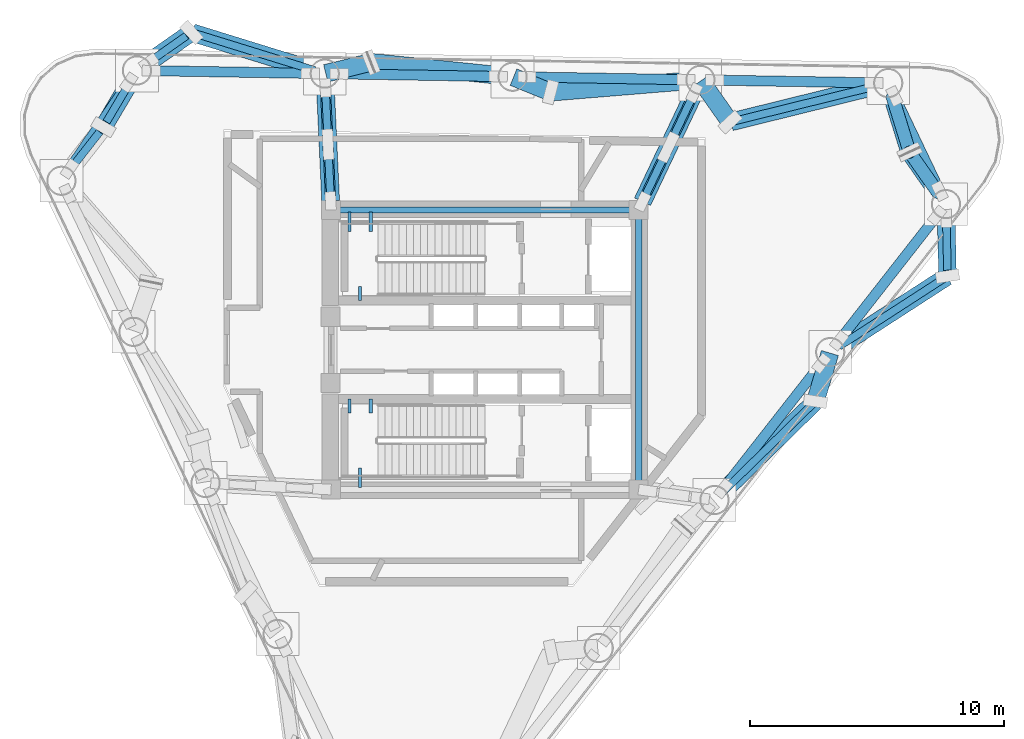
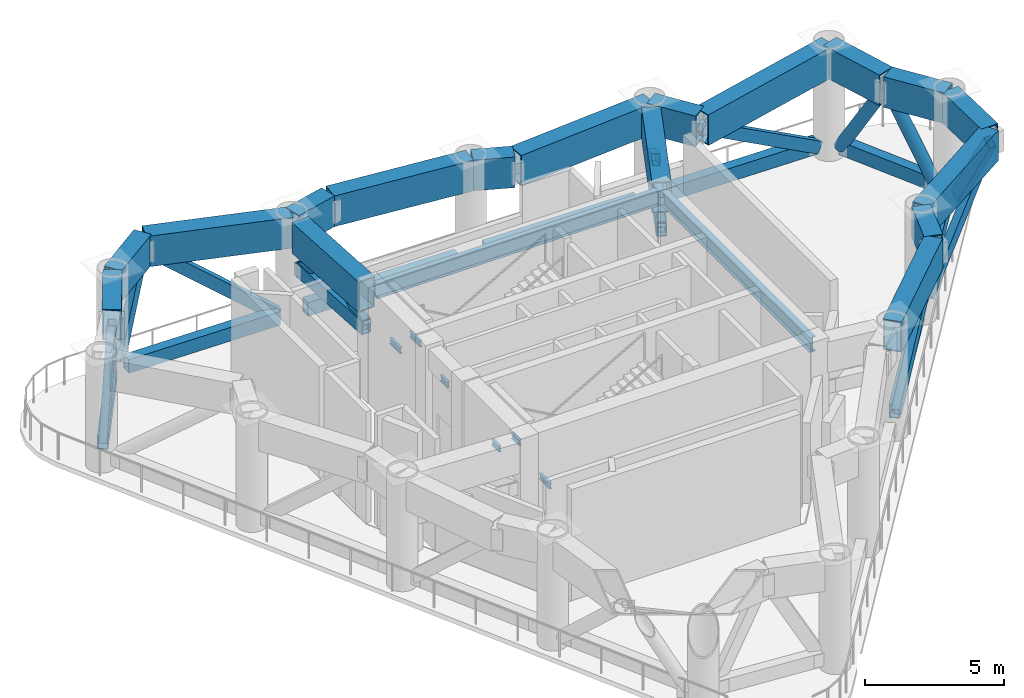
# One storey, part 2 of 8: 25 beams, 24 members.
"""IFC4 building model written with IfcOpenShell, lengths in metres."""

from ifc_helpers import new_model, si_unit, direction, frame, origin, origin_2d, place, context, subcontext, project, spatial, hollow_rectangle, hollow_circle, i_section, extrude, source, transform, mapped, material, material_profile, profile_set, type_object, element, save


model = new_model("IFC4")

# Units and contexts
model_context = context("Model", 3, precision=1e-05, world=origin(), true_north=direction((0.0, 1.0)))
body_context = subcontext(model_context, "Body", "Model", "MODEL_VIEW")
ifc_project = project(units=[si_unit("LENGTHUNIT", "METRE"), si_unit("AREAUNIT", "SQUARE_METRE"), si_unit("VOLUMEUNIT", "CUBIC_METRE"), si_unit("PLANEANGLEUNIT", "RADIAN"), si_unit("MASSUNIT", "GRAM", prefix="KILO")], contexts=[model_context])

# Site, building, storey
site_placement = place(None, origin())
site = spatial("IfcSite", under=ifc_project, at=site_placement, CompositionType="ELEMENT")
building_placement = place(site_placement, origin())
building = spatial("IfcBuilding", under=site, at=building_placement, Name="Yunling Apex Tower", CompositionType="ELEMENT")
storey_placement = place(building_placement, frame((0.0, 0.0, 219.050048828125)))
storey = spatial("IfcBuildingStorey", under=building, at=storey_placement, Name="RF6", CompositionType="ELEMENT", Elevation=219.050048828125)

# Beams
ifc_material_1 = material(Name="Steel Q355B", Category="steel")
ifc_material_profile_1 = material_profile(ifc_material_1, i_section(OverallWidth=0.125, OverallDepth=0.25, WebThickness=0.006103515625, FlangeThickness=0.009033203125, FilletRadius=0.011962890625, at=origin_2d()))
ifc_profile_set_1 = profile_set([ifc_material_profile_1], Name="Steel Q355B")
beam_type_1 = type_object("IfcBeamType", Name="BL-LNT-1", PredefinedType="LINTEL", material=ifc_profile_set_1)
shared_shape_1 = source(origin(), body_context, "Body", "SweptSolid", [
    extrude(i_section(OverallWidth=0.125, OverallDepth=0.25, WebThickness=0.006103515625, FlangeThickness=0.009033203125, FilletRadius=0.011962890625, at=origin_2d()), origin(), (0.0, 0.0, 1.0), 0.760009765625),
])
for number, where, z_axis, x_axis, name in (
    (1, (-5.320068359375, 5.419921875, 2.22998046875), (0.0, -1.0, 0.0), (1.0, 0.0, 0.0), "RF6 ST-1 Landing Bearing Corbel 1-1"),
    (2, (-4.489990234375, 5.419921875, 2.22998046875), (0.0, -1.0, 0.0), (1.0, 0.0, 0.0), "RF6 ST-1 Landing Bearing Corbel 1-2"),
    (3, (-4.905029296875, -5.419921875, 2.22998046875), (0.0, 1.0, 0.0), (-1.0, 0.0, 0.0), "RF6 ST-2 Landing Bearing Corbel 1-3"),
):
    element("IfcBeam", number, at=place(storey_placement, frame(where, z_axis=z_axis, x_axis=x_axis)), inside=storey, type_object=beam_type_1, Name=name, PredefinedType="LINTEL", context=body_context, shape_type="MappedRepresentation", body=[
        mapped(shared_shape_1, transform((0.0, 0.0, 0.0), scale=1.0)),
    ])
shared_shape_2 = source(origin(), body_context, "Body", "SweptSolid", [
    extrude(i_section(OverallWidth=0.125, OverallDepth=0.25, WebThickness=0.006103515625, FlangeThickness=0.009033203125, FilletRadius=0.011962890625, at=origin_2d()), origin(), (0.0, 0.0, 1.0), 0.550048828125),
])
for number, where, z_axis, x_axis, name in (
    (4, (-4.905029296875, 1.93994140625, 2.22998046875), (0.0, 1.0, 0.0), (-1.0, 0.0, 0.0), "RF6 ST-1 Landing Bearing Corbel 1-3"),
    (5, (-5.320068359375, -1.93994140625, 2.22998046875), (0.0, -1.0, 0.0), (1.0, 0.0, 0.0), "RF6 ST-2 Landing Bearing Corbel 1-1"),
    (6, (-4.489990234375, -1.93994140625, 2.22998046875), (0.0, -1.0, 0.0), (1.0, 0.0, 0.0), "RF6 ST-2 Landing Bearing Corbel 1-2"),
):
    element("IfcBeam", number, at=place(storey_placement, frame(where, z_axis=z_axis, x_axis=x_axis)), inside=storey, type_object=beam_type_1, Name=name, PredefinedType="LINTEL", context=body_context, shape_type="MappedRepresentation", body=[
        mapped(shared_shape_2, transform((0.0, 0.0, 0.0), scale=1.0)),
    ])
ifc_material_profile_2 = material_profile(ifc_material_1, i_section(OverallWidth=0.25, OverallDepth=0.64990234375, WebThickness=0.011962890625, FlangeThickness=0.02001953125, FilletRadius=0.02392578125, at=origin_2d()))
ifc_profile_set_2 = profile_set([ifc_material_profile_2], Name="Steel Q355B")
beam_type_2 = type_object("IfcBeamType", Name="BG-PRI-4", PredefinedType="USERDEFINED", material=ifc_profile_set_2)
shared_shape_3 = source(origin(), body_context, "Body", "SweptSolid", [
    extrude(i_section(OverallWidth=0.25, OverallDepth=0.64990234375, WebThickness=0.011962890625, FlangeThickness=0.02001953125, FilletRadius=0.02392578125, at=origin_2d()), origin(), (0.0, 0.0, 1.0), 11.7998046875),
])
beam_1_placement = place(storey_placement, frame((5.89990234375, 5.5, 4.594970703125), z_axis=(-1.0, 0.0, 0.0), x_axis=(0.0, -1.0, 0.0)))
element("IfcBeam", 7, at=beam_1_placement, inside=storey, type_object=beam_type_2, Name="RF6 Core Ring Tie Beam 3", ObjectType="GIRDER", PredefinedType="USERDEFINED", context=body_context, shape_type="MappedRepresentation", body=[
    mapped(shared_shape_3, transform((0.0, 0.0, 0.0), scale=1.0)),
])
shared_shape_4 = source(origin(), body_context, "Body", "SweptSolid", [
    extrude(i_section(OverallWidth=0.25, OverallDepth=0.64990234375, WebThickness=0.011962890625, FlangeThickness=0.02001953125, FilletRadius=0.02392578125, at=origin_2d()), origin(), (0.0, 0.0, 1.0), 10.7001953125),
])
beam_2_placement = place(storey_placement, frame((6.050048828125, -5.35009765625, 4.594970703125), z_axis=(0.0, 1.0, 0.0), x_axis=(-1.0, 0.0, 0.0)))
element("IfcBeam", 8, at=beam_2_placement, inside=storey, type_object=beam_type_2, Name="RF6 Core Ring Tie Beam 2", ObjectType="GIRDER", PredefinedType="USERDEFINED", context=body_context, shape_type="MappedRepresentation", body=[
    mapped(shared_shape_4, transform((0.0, 0.0, 0.0), scale=1.0)),
])

# Members
ifc_material_profile_3 = material_profile(ifc_material_1, hollow_rectangle(XDim=0.39990234375, YDim=0.60009765625, WallThickness=0.030029296875, at=origin_2d()))
ifc_profile_set_3 = profile_set([ifc_material_profile_3], Name="Steel Q355B")
member_type_1 = type_object("IfcMemberType", Name="BT-CHD-2", PredefinedType="CHORD", material=ifc_profile_set_3)
shared_shape_5 = source(origin(), body_context, "Body", "SweptSolid", [
    extrude(hollow_rectangle(XDim=0.39990234375, YDim=0.60009765625, WallThickness=0.030029296875, at=origin_2d()), origin(), (0.0, 0.0, 1.0), 6.257080078125),
])
for number, where, z_axis, x_axis, name in (
    (9, (15.304931640625, 10.50341796875, 0.550048828125), (-0.999859237341, 0.016778125739, 0.0), (-0.016778125739, -0.999859237341, 0.0), "RF6 Belt-Truss Bottom Chord 6"),
    (10, (7.9150390625, 10.627197265625, 0.550048828125), (-0.999859237341, 0.016778125739, 0.0), (-0.016778125739, -0.999859237341, 0.0), "RF6 Belt-Truss Bottom Chord 7"),
    (11, (0.525146484375, 10.751220703125, 0.550048828125), (-0.999859891153, 0.016739117787, 0.0), (-0.016739117787, -0.999859891153, 0.0), "RF6 Belt-Truss Bottom Chord 8"),
    (12, (-6.86474609375, 10.875, 0.550048828125), (-0.999859237341, 0.016778125739, 0.0), (-0.016778125739, -0.999859237341, 0.0), "RF6 Belt-Truss Bottom Chord 9"),
):
    element("IfcMember", number, at=place(storey_placement, frame(where, z_axis=z_axis, x_axis=x_axis)), inside=storey, type_object=member_type_1, Name=name, PredefinedType="CHORD", context=body_context, shape_type="MappedRepresentation", body=[
        mapped(shared_shape_5, transform((0.0, 0.0, 0.0), scale=1.0)),
    ])
shared_shape_6 = source(origin(), body_context, "Body", "SweptSolid", [
    extrude(hollow_rectangle(XDim=0.39990234375, YDim=0.60009765625, WallThickness=0.030029296875, at=origin_2d()), origin(), (0.0, 0.0, 1.0), 6.2568359375),
])
for number, where, z_axis, x_axis, name in (
    (13, (9.384521484375, -5.464599609375, 0.550048828125), (0.616207252325, 0.787584041345, 0.0), (-0.787584041345, 0.616207252325, 0.0), "RF6 Belt-Truss Bottom Chord 3"),
    (14, (13.93896484375, 0.356201171875, 0.550048828125), (0.616207252325, 0.787584041345, 0.0), (-0.787584041345, 0.616207252325, 0.0), "RF6 Belt-Truss Bottom Chord 4"),
):
    element("IfcMember", number, at=place(storey_placement, frame(where, z_axis=z_axis, x_axis=x_axis)), inside=storey, type_object=member_type_1, Name=name, PredefinedType="CHORD", context=body_context, shape_type="MappedRepresentation", body=[
        mapped(shared_shape_6, transform((0.0, 0.0, 0.0), scale=1.0)),
    ])
shared_shape_7 = source(origin(), body_context, "Body", "SweptSolid", [
    extrude(hollow_rectangle(XDim=0.39990234375, YDim=0.60009765625, WallThickness=0.030029296875, at=origin_2d()), origin(), (0.0, 0.0, 1.0), 4.143310546875),
])
member_1_placement = place(storey_placement, frame((17.899658203125, 6.242431640625, 0.550048828125), z_axis=(-0.43049615782, 0.90259240973, 0.0), x_axis=(-0.90259240973, -0.43049615782, 0.0)))
element("IfcMember", 15, at=member_1_placement, inside=storey, type_object=member_type_1, Name="RF6 Belt-Truss Bottom Chord 5", PredefinedType="CHORD", context=body_context, shape_type="MappedRepresentation", body=[
    mapped(shared_shape_7, transform((0.0, 0.0, 0.0), scale=1.0)),
])
shared_shape_8 = source(origin(), body_context, "Body", "SweptSolid", [
    extrude(hollow_rectangle(XDim=0.39990234375, YDim=0.60009765625, WallThickness=0.030029296875, at=origin_2d()), origin(), (0.0, 0.0, 1.0), 4.12548828125),
])
member_2_placement = place(storey_placement, frame((-14.0078125, 10.521484375, 0.550048828125), z_axis=(-0.564792105466, -0.825233226187, 0.0), x_axis=(0.825233226187, -0.564792105466, 0.0)))
element("IfcMember", 16, at=member_2_placement, inside=storey, type_object=member_type_1, Name="RF6 Belt-Truss Bottom Chord 10", PredefinedType="CHORD", context=body_context, shape_type="MappedRepresentation", body=[
    mapped(shared_shape_8, transform((0.0, 0.0, 0.0), scale=1.0)),
])

# Beams
ifc_material_2 = material(Name="Steel Q390GJC", Category="steel")
ifc_material_profile_4 = material_profile(ifc_material_2, hollow_rectangle(XDim=0.699951171875, YDim=1.35009765625, WallThickness=0.044921875, at=origin_2d()))
ifc_profile_set_4 = profile_set([ifc_material_profile_4], Name="Steel Q390GJC")
beam_type_3 = type_object("IfcBeamType", Name="BTRNG-2", PredefinedType="USERDEFINED", material=ifc_profile_set_4)
shared_shape_9 = source(origin(), body_context, "Body", "SweptSolid", [
    extrude(hollow_rectangle(XDim=0.699951171875, YDim=1.35009765625, WallThickness=0.044921875, at=origin_2d()), origin(), (0.0, 0.0, 1.0), 5.473388671875),
])
beam_3_placement = place(storey_placement, frame((9.063720703125, -5.88330078125, 4.244873046875), z_axis=(0.715244462006, 0.698874351775, 0.0), x_axis=(-0.698874351775, 0.715244462006, 0.0)))
element("IfcBeam", 17, at=beam_3_placement, inside=storey, type_object=beam_type_3, Name="RF6 Panel-Split Box Ring Transfer Girder 12", ObjectType="GIRDER", PredefinedType="USERDEFINED", context=body_context, shape_type="MappedRepresentation", body=[
    mapped(shared_shape_9, transform((0.0, 0.0, 0.0), scale=1.0)),
])
shared_shape_10 = source(origin(), body_context, "Body", "SweptSolid", [
    extrude(hollow_rectangle(XDim=0.699951171875, YDim=1.35009765625, WallThickness=0.044921875, at=origin_2d()), origin(), (0.0, 0.0, 1.0), 1.945068359375),
])
beam_4_placement = place(storey_placement, frame((13.0185546875, -1.99169921875, 4.244873046875), z_axis=(0.287543629256, 0.957767540311, 0.0), x_axis=(-0.957767540311, 0.287543629256, 0.0)))
element("IfcBeam", 18, at=beam_4_placement, inside=storey, type_object=beam_type_3, Name="RF6 Panel-Split Box Ring Transfer Girder 13", ObjectType="GIRDER", PredefinedType="USERDEFINED", context=body_context, shape_type="MappedRepresentation", body=[
    mapped(shared_shape_10, transform((0.0, 0.0, 0.0), scale=1.0)),
])
shared_shape_11 = source(origin(), body_context, "Body", "SweptSolid", [
    extrude(hollow_rectangle(XDim=0.699951171875, YDim=1.35009765625, WallThickness=0.044921875, at=origin_2d()), origin(), (0.0, 0.0, 1.0), 5.41748046875),
])
beam_5_placement = place(storey_placement, frame((13.623046875, -0.068603515625, 4.244873046875), z_axis=(0.839597964188, 0.543208301236, 0.0), x_axis=(-0.543208301236, 0.839597964188, 0.0)))
element("IfcBeam", 19, at=beam_5_placement, inside=storey, type_object=beam_type_3, Name="RF6 Panel-Split Box Ring Transfer Girder 14", ObjectType="GIRDER", PredefinedType="USERDEFINED", context=body_context, shape_type="MappedRepresentation", body=[
    mapped(shared_shape_11, transform((0.0, 0.0, 0.0), scale=1.0)),
])
shared_shape_12 = source(origin(), body_context, "Body", "SweptSolid", [
    extrude(hollow_rectangle(XDim=0.699951171875, YDim=1.35009765625, WallThickness=0.044921875, at=origin_2d()), origin(), (0.0, 0.0, 1.0), 2.755615234375),
])
beam_6_placement = place(storey_placement, frame((18.204345703125, 2.935791015625, 4.244873046875), z_axis=(-0.021618484186, 0.999766293261, 0.0), x_axis=(-0.999766293261, -0.021618484186, 0.0)))
element("IfcBeam", 20, at=beam_6_placement, inside=storey, type_object=beam_type_3, Name="RF6 Panel-Split Box Ring Transfer Girder 15", ObjectType="GIRDER", PredefinedType="USERDEFINED", context=body_context, shape_type="MappedRepresentation", body=[
    mapped(shared_shape_12, transform((0.0, 0.0, 0.0), scale=1.0)),
])
shared_shape_13 = source(origin(), body_context, "Body", "SweptSolid", [
    extrude(hollow_rectangle(XDim=0.699951171875, YDim=1.35009765625, WallThickness=0.044921875, at=origin_2d()), origin(), (0.0, 0.0, 1.0), 2.41943359375),
])
beam_7_placement = place(storey_placement, frame((18.120849609375, 5.763427734375, 4.244873046875), z_axis=(-0.572778108192, 0.819710460331, 0.0), x_axis=(-0.819710460331, -0.572778108192, 0.0)))
element("IfcBeam", 21, at=beam_7_placement, inside=storey, type_object=beam_type_3, Name="RF6 Panel-Split Box Ring Transfer Girder 16", ObjectType="GIRDER", PredefinedType="USERDEFINED", context=body_context, shape_type="MappedRepresentation", body=[
    mapped(shared_shape_13, transform((0.0, 0.0, 0.0), scale=1.0)),
])
shared_shape_14 = source(origin(), body_context, "Body", "SweptSolid", [
    extrude(hollow_rectangle(XDim=0.699951171875, YDim=1.35009765625, WallThickness=0.044921875, at=origin_2d()), origin(), (0.0, 0.0, 1.0), 2.76171875),
])
beam_8_placement = place(storey_placement, frame((16.700439453125, 7.817626953125, 4.244873046875), z_axis=(-0.295787446923, 0.955253781067, 0.0), x_axis=(-0.955253781067, -0.295787446923, 0.0)))
element("IfcBeam", 22, at=beam_8_placement, inside=storey, type_object=beam_type_3, Name="RF6 Panel-Split Box Ring Transfer Girder 17", ObjectType="GIRDER", PredefinedType="USERDEFINED", context=body_context, shape_type="MappedRepresentation", body=[
    mapped(shared_shape_14, transform((0.0, 0.0, 0.0), scale=1.0)),
])
shared_shape_15 = source(origin(), body_context, "Body", "SweptSolid", [
    extrude(hollow_rectangle(XDim=0.699951171875, YDim=1.35009765625, WallThickness=0.044921875, at=origin_2d()), origin(), (0.0, 0.0, 1.0), 6.330810546875),
])
beam_9_placement = place(storey_placement, frame((15.8330078125, 10.484375, 4.244873046875), z_axis=(-0.970814739175, -0.239830653171, 0.0), x_axis=(0.239830653171, -0.970814739175, 0.0)))
element("IfcBeam", 23, at=beam_9_placement, inside=storey, type_object=beam_type_3, Name="RF6 Panel-Split Box Ring Transfer Girder 18", ObjectType="GIRDER", PredefinedType="USERDEFINED", context=body_context, shape_type="MappedRepresentation", body=[
    mapped(shared_shape_15, transform((0.0, 0.0, 0.0), scale=1.0)),
])
shared_shape_16 = source(origin(), body_context, "Body", "SweptSolid", [
    extrude(hollow_rectangle(XDim=0.699951171875, YDim=1.35009765625, WallThickness=0.044921875, at=origin_2d()), origin(), (0.0, 0.0, 1.0), 1.949951171875),
])
beam_10_placement = place(storey_placement, frame((9.625244140625, 8.9892578125, 4.244873046875), z_axis=(-0.574562616316, 0.818460628211, 0.0), x_axis=(-0.818460628211, -0.574562616316, 0.0)))
element("IfcBeam", 24, at=beam_10_placement, inside=storey, type_object=beam_type_3, Name="RF6 Panel-Split Box Ring Transfer Girder 19", ObjectType="GIRDER", PredefinedType="USERDEFINED", context=body_context, shape_type="MappedRepresentation", body=[
    mapped(shared_shape_16, transform((0.0, 0.0, 0.0), scale=1.0)),
])
shared_shape_17 = source(origin(), body_context, "Body", "SweptSolid", [
    extrude(hollow_rectangle(XDim=0.699951171875, YDim=1.35009765625, WallThickness=0.044921875, at=origin_2d()), origin(), (0.0, 0.0, 1.0), 5.83740234375),
])
beam_11_placement = place(storey_placement, frame((8.44189453125, 10.614501953125, 4.244873046875), z_axis=(-0.996644837262, -0.081847836614, 0.0), x_axis=(0.081847836614, -0.996644837262, 0.0)))
element("IfcBeam", 25, at=beam_11_placement, inside=storey, type_object=beam_type_3, Name="RF6 Panel-Split Box Ring Transfer Girder 20", ObjectType="GIRDER", PredefinedType="USERDEFINED", context=body_context, shape_type="MappedRepresentation", body=[
    mapped(shared_shape_17, transform((0.0, 0.0, 0.0), scale=1.0)),
])
shared_shape_18 = source(origin(), body_context, "Body", "SweptSolid", [
    extrude(hollow_rectangle(XDim=0.699951171875, YDim=1.35009765625, WallThickness=0.044921875, at=origin_2d()), origin(), (0.0, 0.0, 1.0), 1.53125),
])
beam_12_placement = place(storey_placement, frame((2.547119140625, 10.148681640625, 4.244873046875), z_axis=(-0.926049022491, 0.377403243154, 0.0), x_axis=(-0.377403243154, -0.926049022491, 0.0)))
element("IfcBeam", 26, at=beam_12_placement, inside=storey, type_object=beam_type_3, Name="RF6 Panel-Split Box Ring Transfer Girder 21", ObjectType="GIRDER", PredefinedType="USERDEFINED", context=body_context, shape_type="MappedRepresentation", body=[
    mapped(shared_shape_18, transform((0.0, 0.0, 0.0), scale=1.0)),
])
shared_shape_19 = source(origin(), body_context, "Body", "SweptSolid", [
    extrude(hollow_rectangle(XDim=0.699951171875, YDim=1.35009765625, WallThickness=0.044921875, at=origin_2d()), origin(), (0.0, 0.0, 1.0), 5.520751953125),
])
beam_13_placement = place(storey_placement, frame((1.05224609375, 10.745849609375, 4.244873046875), z_axis=(-0.994831954867, 0.101535124839, 0.0), x_axis=(-0.101535124839, -0.994831954867, 0.0)))
element("IfcBeam", 27, at=beam_13_placement, inside=storey, type_object=beam_type_3, Name="RF6 Panel-Split Box Ring Transfer Girder 22", ObjectType="GIRDER", PredefinedType="USERDEFINED", context=body_context, shape_type="MappedRepresentation", body=[
    mapped(shared_shape_19, transform((0.0, 0.0, 0.0), scale=1.0)),
])
shared_shape_20 = source(origin(), body_context, "Body", "SweptSolid", [
    extrude(hollow_rectangle(XDim=0.699951171875, YDim=1.35009765625, WallThickness=0.044921875, at=origin_2d()), origin(), (0.0, 0.0, 1.0), 1.79150390625),
])
beam_14_placement = place(storey_placement, frame((-4.518798828125, 11.301025390625, 4.244873046875), z_axis=(-0.971309519854, -0.2378188736, 0.0), x_axis=(0.2378188736, -0.971309519854, 0.0)))
element("IfcBeam", 28, at=beam_14_placement, inside=storey, type_object=beam_type_3, Name="RF6 Panel-Split Box Ring Transfer Girder 23", ObjectType="GIRDER", PredefinedType="USERDEFINED", context=body_context, shape_type="MappedRepresentation", body=[
    mapped(shared_shape_20, transform((0.0, 0.0, 0.0), scale=1.0)),
])
shared_shape_21 = source(origin(), body_context, "Body", "SweptSolid", [
    extrude(hollow_rectangle(XDim=0.699951171875, YDim=1.35009765625, WallThickness=0.044921875, at=origin_2d()), origin(), (0.0, 0.0, 1.0), 5.4111328125),
])
beam_15_placement = place(storey_placement, frame((-6.3359375, 10.877197265625, 4.244873046875), z_axis=(-0.955364445073, 0.295429817537, 0.0), x_axis=(-0.295429817537, -0.955364445073, 0.0)))
element("IfcBeam", 29, at=beam_15_placement, inside=storey, type_object=beam_type_3, Name="RF6 Panel-Split Box Ring Transfer Girder 24", ObjectType="GIRDER", PredefinedType="USERDEFINED", context=body_context, shape_type="MappedRepresentation", body=[
    mapped(shared_shape_21, transform((0.0, 0.0, 0.0), scale=1.0)),
])
shared_shape_22 = source(origin(), body_context, "Body", "SweptSolid", [
    extrude(hollow_rectangle(XDim=0.699951171875, YDim=1.35009765625, WallThickness=0.044921875, at=origin_2d()), origin(), (0.0, 0.0, 1.0), 2.535400390625),
])
beam_16_placement = place(storey_placement, frame((-11.57666015625, 12.464599609375, 4.244873046875), z_axis=(-0.819656941174, -0.572854692557, 0.0), x_axis=(0.572854692557, -0.819656941174, 0.0)))
element("IfcBeam", 30, at=beam_16_placement, inside=storey, type_object=beam_type_3, Name="RF6 Panel-Split Box Ring Transfer Girder 25", ObjectType="GIRDER", PredefinedType="USERDEFINED", context=body_context, shape_type="MappedRepresentation", body=[
    mapped(shared_shape_22, transform((0.0, 0.0, 0.0), scale=1.0)),
])
shared_shape_23 = source(origin(), body_context, "Body", "SweptSolid", [
    extrude(hollow_rectangle(XDim=0.699951171875, YDim=1.35009765625, WallThickness=0.044921875, at=origin_2d()), origin(), (0.0, 0.0, 1.0), 2.511962890625),
])
beam_17_placement = place(storey_placement, frame((-13.7080078125, 10.955078125, 4.244873046875), z_axis=(-0.509197492927, -0.860649704117, 0.0), x_axis=(0.860649704117, -0.509197492927, 0.0)))
element("IfcBeam", 31, at=beam_17_placement, inside=storey, type_object=beam_type_3, Name="RF6 Panel-Split Box Ring Transfer Girder 26", ObjectType="GIRDER", PredefinedType="USERDEFINED", context=body_context, shape_type="MappedRepresentation", body=[
    mapped(shared_shape_23, transform((0.0, 0.0, 0.0), scale=1.0)),
])

# Members
ifc_material_profile_5 = material_profile(ifc_material_1, hollow_rectangle(XDim=0.300048828125, YDim=0.5, WallThickness=0.02197265625, at=origin_2d()))
ifc_profile_set_5 = profile_set([ifc_material_profile_5], Name="Steel Q355B")
member_type_2 = type_object("IfcMemberType", Name="BR-BLT-2", PredefinedType="BRACE", material=ifc_profile_set_5)
shared_shape_24 = source(origin(), body_context, "Body", "SweptSolid", [
    extrude(hollow_rectangle(XDim=0.300048828125, YDim=0.5, WallThickness=0.02197265625, at=origin_2d()), origin(), (0.0, 0.0, 1.0), 6.19189453125),
])
member_3_placement = place(storey_placement, frame((9.439208984375, -5.516357421875, 0.550048828125), z_axis=(0.573939415435, 0.56080930927, 0.59672980992), x_axis=(-0.698878109433, 0.715240790333, 0.0)))
element("IfcMember", 32, at=member_3_placement, inside=storey, type_object=member_type_2, Name="RF6 Belt-Truss Diagonal 4-1", PredefinedType="BRACE", context=body_context, shape_type="MappedRepresentation", body=[
    mapped(shared_shape_24, transform((0.0, 0.0, 0.0), scale=1.0)),
])
shared_shape_25 = source(origin(), body_context, "Body", "SweptSolid", [
    extrude(hollow_rectangle(XDim=0.300048828125, YDim=0.5, WallThickness=0.02197265625, at=origin_2d()), origin(), (0.0, 0.0, 1.0), 4.326171875),
])
member_4_placement = place(storey_placement, frame((18.156005859375, 5.165771484375, 0.550048828125), z_axis=(0.011286757542, -0.520037353765, 0.854068943232), x_axis=(0.999764556927, 0.0216986339, 0.0)))
element("IfcMember", 33, at=member_4_placement, inside=storey, type_object=member_type_2, Name="RF6 Belt-Truss Diagonal 5-1", PredefinedType="BRACE", context=body_context, shape_type="MappedRepresentation", body=[
    mapped(shared_shape_25, transform((0.0, 0.0, 0.0), scale=1.0)),
])
shared_shape_26 = source(origin(), body_context, "Body", "SweptSolid", [
    extrude(hollow_rectangle(XDim=0.300048828125, YDim=0.5, WallThickness=0.02197265625, at=origin_2d()), origin(), (0.0, 0.0, 1.0), 6.14697265625),
])
member_5_placement = place(storey_placement, frame((14.06396484375, 0.216552734375, 0.550048828125), z_axis=(0.670994031138, 0.434116536068, 0.601090545001), x_axis=(-0.5432018214, 0.839602156517, 0.0)))
element("IfcMember", 34, at=member_5_placement, inside=storey, type_object=member_type_2, Name="RF6 Belt-Truss Diagonal 5-2", PredefinedType="BRACE", context=body_context, shape_type="MappedRepresentation", body=[
    mapped(shared_shape_26, transform((0.0, 0.0, 0.0), scale=1.0)),
])
ifc_material_profile_6 = material_profile(ifc_material_1, hollow_circle(Radius=0.25390625, WallThickness=0.02001953125, at=origin_2d()))
ifc_profile_set_6 = profile_set([ifc_material_profile_6], Name="Steel Q355B")
member_type_3 = type_object("IfcMemberType", Name="BR-PER-2", PredefinedType="BRACE", material=ifc_profile_set_6)
shared_shape_27 = source(origin(), body_context, "Body", "SweptSolid", [
    extrude(hollow_circle(Radius=0.25390625, WallThickness=0.02001953125, at=origin_2d()), origin(), (0.0, 0.0, 1.0), 4.161376953125),
])
member_6_placement = place(storey_placement, frame((17.8203125, 6.193603515625, 0.550048828125), z_axis=(-0.263536252536, 0.377117326648, 0.88788015269), x_axis=(-0.819686962182, -0.57281173524, 0.0)))
element("IfcMember", 35, at=member_6_placement, inside=storey, type_object=member_type_3, Name="RF6 Belt-Truss Diagonal 6-1", PredefinedType="BRACE", context=body_context, shape_type="MappedRepresentation", body=[
    mapped(shared_shape_27, transform((0.0, 0.0, 0.0), scale=1.0)),
])
shared_shape_28 = source(origin(), body_context, "Body", "SweptSolid", [
    extrude(hollow_circle(Radius=0.25390625, WallThickness=0.02001953125, at=origin_2d()), origin(), (0.0, 0.0, 1.0), 4.329345703125),
])
member_7_placement = place(storey_placement, frame((16.038818359375, 9.9541015625, 0.550048828125), z_axis=(0.154174687032, -0.497881606367, 0.853430765745), x_axis=(0.955248773536, 0.295803618399, 0.0)))
element("IfcMember", 36, at=member_7_placement, inside=storey, type_object=member_type_3, Name="RF6 Belt-Truss Diagonal 6-2", PredefinedType="BRACE", context=body_context, shape_type="MappedRepresentation", body=[
    mapped(shared_shape_28, transform((0.0, 0.0, 0.0), scale=1.0)),
])
shared_shape_29 = source(origin(), body_context, "Body", "SweptSolid", [
    extrude(hollow_rectangle(XDim=0.300048828125, YDim=0.5, WallThickness=0.02197265625, at=origin_2d()), origin(), (0.0, 0.0, 1.0), 6.898681640625),
])
member_8_placement = place(storey_placement, frame((15.3232421875, 10.3583984375, 0.550048828125), z_axis=(-0.819834208931, -0.202534368372, 0.53558538021), x_axis=(0.239832924991, -0.97081417794, 0.0)))
element("IfcMember", 37, at=member_8_placement, inside=storey, type_object=member_type_2, Name="RF6 Belt-Truss Diagonal 7-1", PredefinedType="BRACE", context=body_context, shape_type="MappedRepresentation", body=[
    mapped(shared_shape_29, transform((0.0, 0.0, 0.0), scale=1.0)),
])
shared_shape_30 = source(origin(), body_context, "Body", "SweptSolid", [
    extrude(hollow_rectangle(XDim=0.300048828125, YDim=0.5, WallThickness=0.02197265625, at=origin_2d()), origin(), (0.0, 0.0, 1.0), 4.216064453125),
])
member_9_placement = place(storey_placement, frame((-13.224609375, 11.31298828125, 0.550048828125), z_axis=(0.394762354717, 0.275876171024, 0.876387483685), x_axis=(-0.572824655191, 0.819677933341, 0.0)))
element("IfcMember", 38, at=member_9_placement, inside=storey, type_object=member_type_2, Name="RF6 Belt-Truss Diagonal 10-1", PredefinedType="BRACE", context=body_context, shape_type="MappedRepresentation", body=[
    mapped(shared_shape_30, transform((0.0, 0.0, 0.0), scale=1.0)),
])
shared_shape_31 = source(origin(), body_context, "Body", "SweptSolid", [
    extrude(hollow_rectangle(XDim=0.300048828125, YDim=0.5, WallThickness=0.02197265625, at=origin_2d()), origin(), (0.0, 0.0, 1.0), 6.1416015625),
])
member_10_placement = place(storey_placement, frame((-6.837646484375, 11.032470703125, 0.550048828125), z_axis=(-0.763150104385, 0.235965153642, 0.60159983747), x_axis=(-0.295400422002, -0.955373534635, 0.0)))
element("IfcMember", 39, at=member_10_placement, inside=storey, type_object=member_type_2, Name="RF6 Belt-Truss Diagonal 10-2", PredefinedType="BRACE", context=body_context, shape_type="MappedRepresentation", body=[
    mapped(shared_shape_31, transform((0.0, 0.0, 0.0), scale=1.0)),
])
shared_shape_32 = source(origin(), body_context, "Body", "SweptSolid", [
    extrude(hollow_rectangle(XDim=0.300048828125, YDim=0.5, WallThickness=0.02197265625, at=origin_2d()), origin(), (0.0, 0.0, 1.0), 4.204833984375),
])
member_11_placement = place(storey_placement, frame((-13.975341796875, 10.503173828125, 0.550048828125), z_axis=(-0.243053459761, -0.410798668852, 0.878731739138), x_axis=(0.860643051572, -0.509208736944, 0.0)))
element("IfcMember", 40, at=member_11_placement, inside=storey, type_object=member_type_2, Name="RF6 Belt-Truss Diagonal 11-1", PredefinedType="BRACE", context=body_context, shape_type="MappedRepresentation", body=[
    mapped(shared_shape_32, transform((0.0, 0.0, 0.0), scale=1.0)),
])
shared_shape_33 = source(origin(), body_context, "Body", "SweptSolid", [
    extrude(hollow_rectangle(XDim=0.300048828125, YDim=0.5, WallThickness=0.02197265625, at=origin_2d()), origin(), (0.0, 0.0, 1.0), 4.246826171875),
])
member_12_placement = place(storey_placement, frame((-16.309814453125, 7.093994140625, 0.550048828125), z_axis=(0.303770919727, 0.388279483693, 0.870035787121), x_axis=(-0.787603421535, 0.616182481402, 0.0)))
element("IfcMember", 41, at=member_12_placement, inside=storey, type_object=member_type_2, Name="RF6 Belt-Truss Diagonal 11-2", PredefinedType="BRACE", context=body_context, shape_type="MappedRepresentation", body=[
    mapped(shared_shape_33, transform((0.0, 0.0, 0.0), scale=1.0)),
])

# Beam
shared_shape_34 = source(origin(), body_context, "Body", "SweptSolid", [
    extrude(hollow_rectangle(XDim=0.699951171875, YDim=1.35009765625, WallThickness=0.044921875, at=origin_2d()), origin(), (0.0, 0.0, 1.0), 4.7412109375),
])
beam_18_placement = place(storey_placement, frame((6.20458984375, 5.8251953125, 4.244873046875), z_axis=(0.42920386004, 0.903207643085, 0.0), x_axis=(-0.903207643085, 0.42920386004, 0.0)))
element("IfcBeam", 42, at=beam_18_placement, inside=storey, type_object=beam_type_3, Name="RF6 Radial Outrigger Top Girder 3", ObjectType="GIRDER", PredefinedType="USERDEFINED", context=body_context, shape_type="MappedRepresentation", body=[
    mapped(shared_shape_34, transform((0.0, 0.0, 0.0), scale=1.0)),
])

# Members
shared_shape_35 = source(origin(), body_context, "Body", "SweptSolid", [
    extrude(hollow_rectangle(XDim=0.39990234375, YDim=0.60009765625, WallThickness=0.030029296875, at=origin_2d()), origin(), (0.0, 0.0, 1.0), 4.7412109375),
])
member_13_placement = place(storey_placement, frame((6.20458984375, 5.8251953125, 2.820068359375), z_axis=(0.42920386004, 0.903207643085, 0.0), x_axis=(-0.903207643085, 0.42920386004, 0.0)))
element("IfcMember", 43, at=member_13_placement, inside=storey, type_object=member_type_1, Name="RF6 Radial Outrigger Lower Chord 3", PredefinedType="CHORD", context=body_context, shape_type="MappedRepresentation", body=[
    mapped(shared_shape_35, transform((0.0, 0.0, 0.0), scale=1.0)),
])
ifc_material_profile_7 = material_profile(ifc_material_1, hollow_rectangle(XDim=0.300048828125, YDim=0.449951171875, WallThickness=0.02001953125, at=origin_2d()))
ifc_profile_set_7 = profile_set([ifc_material_profile_7], Name="Steel Q355B")
member_type_4 = type_object("IfcMemberType", Name="BR-OUT-2", PredefinedType="BRACE", material=ifc_profile_set_7)
shared_shape_36 = source(origin(), body_context, "Body", "SweptSolid", [
    extrude(hollow_rectangle(XDim=0.300048828125, YDim=0.449951171875, WallThickness=0.02001953125, at=origin_2d()), origin(), (0.0, 0.0, 1.0), 2.765869140625),
])
for number, where, z_axis, x_axis, name in (
    (44, (6.20458984375, 5.8251953125, 2.820068359375), (0.367832233267, 0.774151352472, 0.515159326457), (-0.903227604787, 0.42916185053, 0.0), "RF6 Outrigger Inner Diagonal 3A"),
    (45, (7.221923828125, 7.96630859375, 4.244873046875), (0.367908558882, 0.774126214346, -0.515142598281), (-0.903187680311, 0.429245866766, 0.0), "RF6 Outrigger Outer Diagonal 3B"),
):
    element("IfcMember", number, at=place(storey_placement, frame(where, z_axis=z_axis, x_axis=x_axis)), inside=storey, type_object=member_type_4, Name=name, PredefinedType="BRACE", context=body_context, shape_type="MappedRepresentation", body=[
        mapped(shared_shape_36, transform((0.0, 0.0, 0.0), scale=1.0)),
    ])

# Beam
shared_shape_37 = source(origin(), body_context, "Body", "SweptSolid", [
    extrude(hollow_rectangle(XDim=0.699951171875, YDim=1.35009765625, WallThickness=0.044921875, at=origin_2d()), origin(), (0.0, 0.0, 1.0), 4.446044921875),
])
beam_19_placement = place(storey_placement, frame((-6.066650390625, 5.859619140625, 4.244873046875), z_axis=(-0.046124998226, 0.998935675876, 0.0), x_axis=(-0.998935675876, -0.046124998226, 0.0)))
element("IfcBeam", 46, at=beam_19_placement, inside=storey, type_object=beam_type_3, Name="RF6 Radial Outrigger Top Girder 4", ObjectType="GIRDER", PredefinedType="USERDEFINED", context=body_context, shape_type="MappedRepresentation", body=[
    mapped(shared_shape_37, transform((0.0, 0.0, 0.0), scale=1.0)),
])

# Members
shared_shape_38 = source(origin(), body_context, "Body", "SweptSolid", [
    extrude(hollow_rectangle(XDim=0.39990234375, YDim=0.60009765625, WallThickness=0.030029296875, at=origin_2d()), origin(), (0.0, 0.0, 1.0), 4.446044921875),
])
member_14_placement = place(storey_placement, frame((-6.066650390625, 5.859619140625, 2.820068359375), z_axis=(-0.046124998226, 0.998935675876, 0.0), x_axis=(-0.998935675876, -0.046124998226, 0.0)))
element("IfcMember", 47, at=member_14_placement, inside=storey, type_object=member_type_1, Name="RF6 Radial Outrigger Lower Chord 4", PredefinedType="CHORD", context=body_context, shape_type="MappedRepresentation", body=[
    mapped(shared_shape_38, transform((0.0, 0.0, 0.0), scale=1.0)),
])
shared_shape_39 = source(origin(), body_context, "Body", "SweptSolid", [
    extrude(hollow_rectangle(XDim=0.300048828125, YDim=0.449951171875, WallThickness=0.02001953125, at=origin_2d()), origin(), (0.0, 0.0, 1.0), 2.640380859375),
])
for number, where, z_axis, x_axis, name in (
    (48, (-6.066650390625, 5.859619140625, 2.820068359375), (-0.038833575787, 0.841024298477, 0.539601781653), (-0.998935675876, -0.046124998226, 0.0), "RF6 Outrigger Inner Diagonal 4A"),
    (49, (-6.169189453125, 8.080322265625, 4.244873046875), (-0.038833575787, 0.841024298477, -0.539601781653), (-0.998935675876, -0.046124998226, 0.0), "RF6 Outrigger Outer Diagonal 4B"),
):
    element("IfcMember", number, at=place(storey_placement, frame(where, z_axis=z_axis, x_axis=x_axis)), inside=storey, type_object=member_type_4, Name=name, PredefinedType="BRACE", context=body_context, shape_type="MappedRepresentation", body=[
        mapped(shared_shape_39, transform((0.0, 0.0, 0.0), scale=1.0)),
    ])

save(model, "model.ifc")
